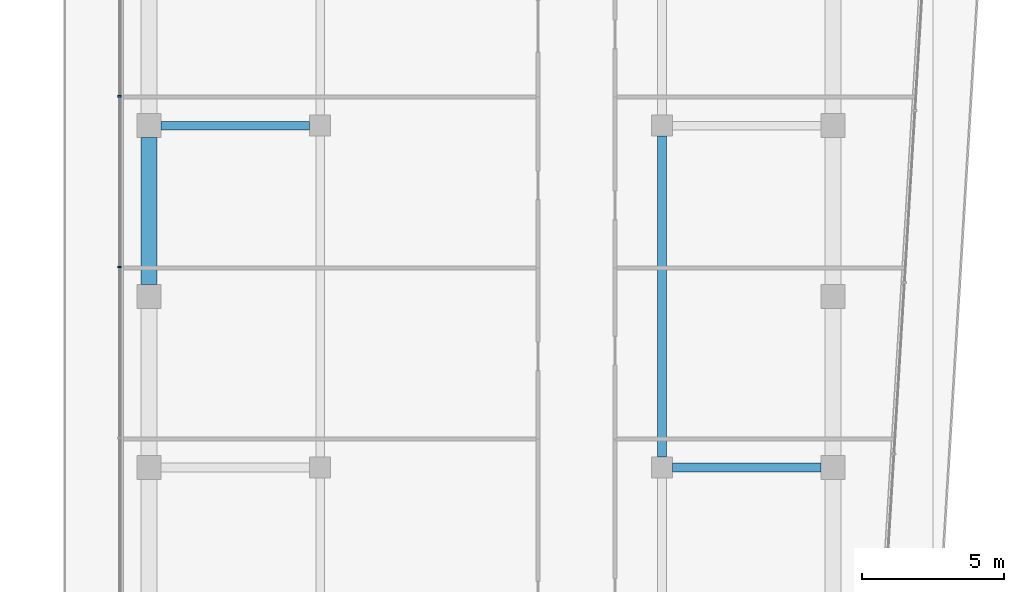
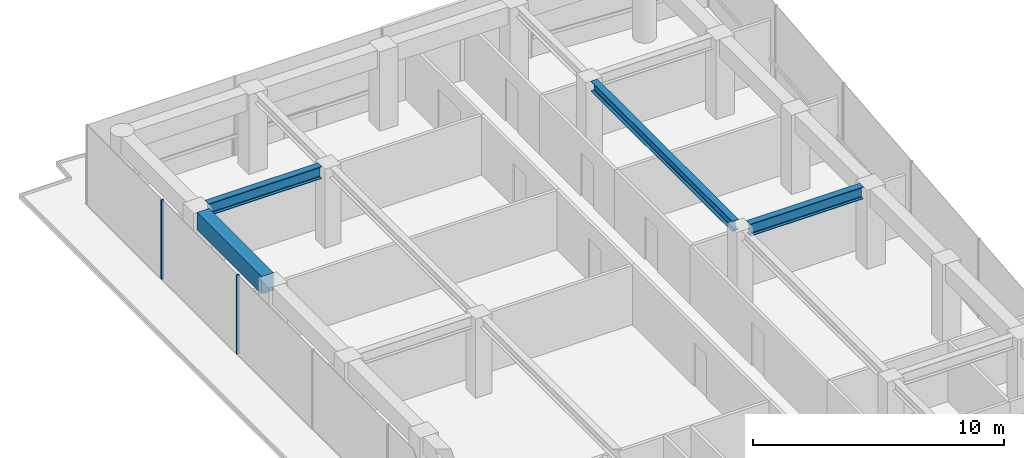
# One storey, part 12 of 22: 4 beams, 2 members, 1 element without a shape of its own.
"""IFC4 building model written with IfcOpenShell, lengths in metres."""

from ifc_helpers import new_model, si_unit, direction, frame, origin, origin_2d, place, context, subcontext, project, spatial, rectangle, i_section, extrude, material, layer, layer_set, material_profile, profile_set, type_object, element, aggregate, save


model = new_model("IFC4")

# Units and contexts
model_context = context("Model", 3, precision=1e-05, world=origin(), true_north=direction((0.0, 1.0)))
body_context = subcontext(model_context, "Body", "Model", "MODEL_VIEW")
ifc_project = project(units=[si_unit("LENGTHUNIT", "METRE"), si_unit("AREAUNIT", "SQUARE_METRE"), si_unit("VOLUMEUNIT", "CUBIC_METRE"), si_unit("PLANEANGLEUNIT", "RADIAN"), si_unit("MASSUNIT", "GRAM", prefix="KILO")], contexts=[model_context])

# Site, building, storey
site_placement = place(None, origin())
site = spatial("IfcSite", under=ifc_project, at=site_placement, CompositionType="ELEMENT")
building_placement = place(site_placement, origin())
building = spatial("IfcBuilding", under=site, at=building_placement, Name="Welwitschia Terrace Campus", CompositionType="ELEMENT")
storey_placement = place(building_placement, frame((0.0, 0.0, 155.0)))
storey = spatial("IfcBuildingStorey", under=building, at=storey_placement, Name="L34", CompositionType="ELEMENT", Elevation=155.0)

# Beam
ifc_material_1 = material(Name="Steel S355", Category="steel")
ifc_material_profile_1 = material_profile(ifc_material_1, i_section(OverallWidth=0.300048828125, OverallDepth=0.489990234375, WebThickness=0.011962890625, FlangeThickness=0.02294921875, FilletRadius=0.027099609375, at=origin_2d()))
ifc_profile_set_1 = profile_set([ifc_material_profile_1], Name="Steel S355")
beam_type_1 = type_object("IfcBeamType", Name="Interior girder HE 500 A", PredefinedType="BEAM", material=ifc_profile_set_1)
beam_1_placement = place(storey_placement, frame((18.0, 44.37548828125, 3.60498046875), z_axis=(0.0, 1.0, 0.0), x_axis=(-1.0, 0.0, 0.0)))
element("IfcBeam", 1, at=beam_1_placement, inside=storey, type_object=beam_type_1, Name="Girder GB4", PredefinedType="BEAM", context=body_context, shape_type="SweptSolid", body=[
    extrude(i_section(OverallWidth=0.300048828125, OverallDepth=0.489990234375, WebThickness=0.011962890625, FlangeThickness=0.02294921875, FilletRadius=0.027099609375, at=origin_2d()), origin(), (0.0, 0.0, 1.0), 11.2490234375),
])

# Curtain wall, members
ifc_material_2 = material(Name="Bronze anodised aluminium", Category="aluminium")
ifc_layer = layer(ifc_material_2, 0.1201171875)
ifc_layer_set = layer_set([ifc_layer], Name="Bronze anodised aluminium")
curtain_wall_type = type_object("IfcCurtainWallType", Name="Curtain wall CW2 tower 6000", PredefinedType="NOTDEFINED", material=ifc_layer_set)
curtain_wall_placement = place(storey_placement, origin())
curtain_wall = element("IfcCurtainWall", 2, at=curtain_wall_placement, inside=storey, type_object=curtain_wall_type, Name="CW L34.11.0", PredefinedType="NOTDEFINED")
ifc_material_3 = material(Name="Bronze anodised aluminium", Category="aluminium")
ifc_material_profile_2 = material_profile(ifc_material_3, rectangle(XDim=0.1201171875, YDim=0.06005859375, at=origin_2d()))
ifc_profile_set_2 = profile_set([ifc_material_profile_2], Name="Bronze anodised aluminium")
member_type = type_object("IfcMemberType", Name="Mullion 60x120", PredefinedType="MULLION", material=ifc_profile_set_2)
member_1_placement = place(storey_placement, frame((-1.030029296875, 57.03125, 0.0), z_axis=(0.0, 0.0, 1.0), x_axis=(1.0, 0.0, 0.0)))
member_1 = element("IfcMember", 3, at=member_1_placement, type_object=member_type, Name="Mullion L34.11.0.1", PredefinedType="MULLION", context=body_context, shape_type="SweptSolid", body=[
    extrude(rectangle(XDim=0.1201171875, YDim=0.06005859375, at=origin_2d()), origin(), (0.0, 0.0, 1.0), 3.85009765625),
])
member_2_placement = place(storey_placement, frame((-1.030029296875, 51.032470703125, 0.0), z_axis=(0.0, 0.0, 1.0), x_axis=(1.0, 0.0, 0.0)))
member_2 = element("IfcMember", 4, at=member_2_placement, type_object=member_type, Name="Mullion L34.11.0.2", PredefinedType="MULLION", context=body_context, shape_type="SweptSolid", body=[
    extrude(rectangle(XDim=0.1201171875, YDim=0.06005859375, at=origin_2d()), origin(), (0.0, 0.0, 1.0), 3.85009765625),
])
aggregate(curtain_wall, [member_1, member_2])

# Beams
ifc_material_4 = material(Name="Steel S355", Category="steel")
ifc_material_profile_3 = material_profile(ifc_material_4, i_section(OverallWidth=0.300048828125, OverallDepth=0.590087890625, WebThickness=0.012939453125, FlangeThickness=0.02490234375, FilletRadius=0.027099609375, at=origin_2d()))
ifc_profile_set_3 = profile_set([ifc_material_profile_3], Name="Steel S355")
beam_type_2 = type_object("IfcBeamType", Name="Primary beam HE 600 A", PredefinedType="BEAM", material=ifc_profile_set_3)
for number, where, z_axis, x_axis, name in (
    (5, (23.574462890625, 44.0, 3.554931640625), (-1.0, 0.0, 0.0), (0.0, -1.0, 0.0), "Primary beam PB4"),
    (6, (0.425537109375, 56.0, 3.554931640625), (1.0, 0.0, 0.0), (0.0, 1.0, 0.0), "Primary beam PB4"),
):
    element("IfcBeam", number, at=place(storey_placement, frame(where, z_axis=z_axis, x_axis=x_axis)), inside=storey, type_object=beam_type_2, Name=name, PredefinedType="BEAM", context=body_context, shape_type="SweptSolid", body=[
        extrude(i_section(OverallWidth=0.300048828125, OverallDepth=0.590087890625, WebThickness=0.012939453125, FlangeThickness=0.02490234375, FilletRadius=0.027099609375, at=origin_2d()), origin(), (0.0, 0.0, 1.0), 5.198974609375),
    ])
ifc_material_5 = material(Name="Concrete C50/60", Category="concrete")
ifc_material_profile_4 = material_profile(ifc_material_5, rectangle(XDim=0.550048828125, YDim=0.85009765625, at=origin_2d()))
ifc_profile_set_4 = profile_set([ifc_material_profile_4], Name="Concrete C50/60")
beam_type_3 = type_object("IfcBeamType", Name="Ring spandrel 550x850", PredefinedType="SPANDREL", material=ifc_profile_set_4)
beam_2_placement = place(storey_placement, frame((0.0, 55.574462890625, 3.425048828125), z_axis=(0.0, -1.0, 0.0), x_axis=(1.0, 0.0, 0.0)))
element("IfcBeam", 7, at=beam_2_placement, inside=storey, type_object=beam_type_3, Name="Spandrel SP3", PredefinedType="SPANDREL", context=body_context, shape_type="SweptSolid", body=[
    extrude(rectangle(XDim=0.550048828125, YDim=0.85009765625, at=origin_2d()), origin(), (0.0, 0.0, 1.0), 5.14892578125),
])

save(model, "model.ifc")
